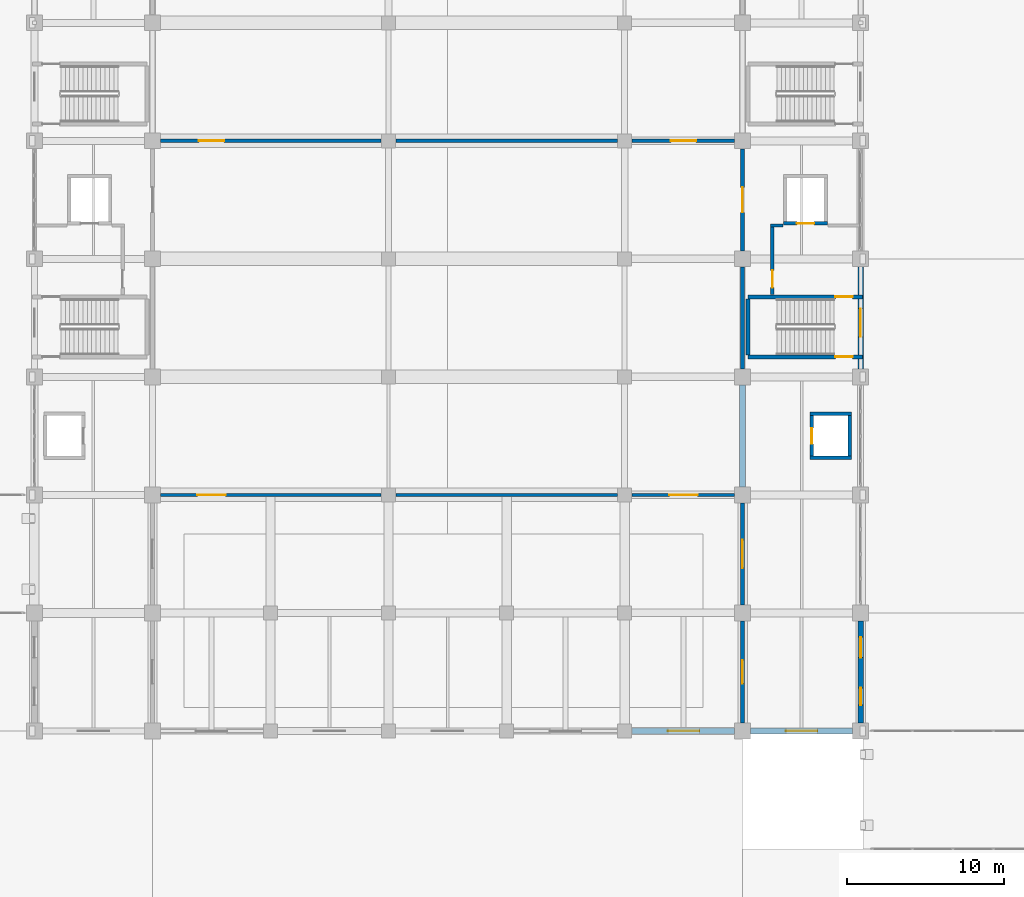
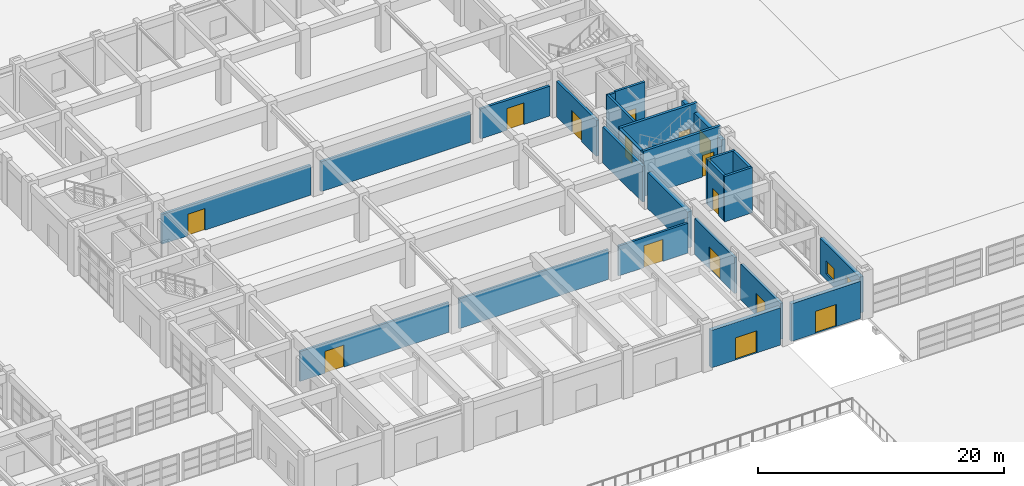
# One storey, part 88 of 122: 25 walls, 15 doors, 2 windows, 17 openings.
"""IFC4 building model written with IfcOpenShell, lengths in metres."""

from ifc_helpers import new_model, si_unit, direction, frame, frame_2d, origin, place, context, subcontext, project, spatial, rectangle, extrude, material, layer, layer_set, type_object, element, fill, save


model = new_model("IFC4")

# Units and contexts
model_context = context("Model", 3, precision=1e-05, world=origin(), true_north=direction((0.0, 1.0)))
body_context = subcontext(model_context, "Body", "Model", "MODEL_VIEW")
ifc_project = project(units=[si_unit("LENGTHUNIT", "METRE"), si_unit("AREAUNIT", "SQUARE_METRE"), si_unit("VOLUMEUNIT", "CUBIC_METRE"), si_unit("PLANEANGLEUNIT", "RADIAN"), si_unit("MASSUNIT", "GRAM", prefix="KILO")], contexts=[model_context])

# Site, building, storey
site_placement = place(None, origin())
site = spatial("IfcSite", under=ifc_project, at=site_placement, CompositionType="ELEMENT")
building_placement = place(site_placement, origin())
building = spatial("IfcBuilding", under=site, at=building_placement, Name="Qasida Concert Hall", CompositionType="ELEMENT")
storey_placement = place(building_placement, origin())
storey = spatial("IfcBuildingStorey", under=building, at=storey_placement, Name="L00", CompositionType="ELEMENT", Elevation=0.0)

# Walls
ifc_material_1 = material(Name="Concrete C40/50", Category="concrete")
ifc_layer_1 = layer(ifc_material_1, 0.219970703125, Name="Concrete C40/50")
ifc_layer_set_1 = layer_set([ifc_layer_1], Name="Concrete C40/50")
wall_type_1 = type_object("IfcWallType", Name="WL-CW-220", PredefinedType="SOLIDWALL", material=ifc_layer_set_1)
for number, where, z_axis, x_axis, name in (
    (1, (101.7900390625, 39.85009765625, 0.0), (0.0, 0.0, 1.0), (1.0, 0.0, 0.0), "L00 LF-02 lift shaft wall S"),
    (2, (101.7900390625, 42.64990234375, 0.0), (0.0, 0.0, 1.0), (1.0, 0.0, 0.0), "L00 LF-02 lift shaft wall N"),
):
    element("IfcWall", number, at=place(storey_placement, frame(where, z_axis=z_axis, x_axis=x_axis)), inside=storey, type_object=wall_type_1, Name=name, PredefinedType="SOLIDWALL", context=body_context, shape_type="SweptSolid", body=[
        extrude(rectangle(XDim=2.619873046875, YDim=0.219970703125, at=frame_2d((1.31005859375, 0.0))), origin(), (0.0, 0.0, 1.0), 4.5),
    ])

# Wall, opening, door
wall_1_placement = place(storey_placement, frame((101.89990234375, 39.9599609375, 0.0), z_axis=(0.0, 0.0, 1.0), x_axis=(0.0, 1.0, 0.0)))
wall_1 = element("IfcWall", 3, at=wall_1_placement, inside=storey, type_object=wall_type_1, Name="L00 LF-02 lift shaft wall W", PredefinedType="SOLIDWALL", context=body_context, shape_type="SweptSolid", body=[
    extrude(rectangle(XDim=2.580078125, YDim=0.219970703125, at=frame_2d((1.2900390625, 0.0))), origin(), (0.0, 0.0, 1.0), 4.5),
])
opening_1_placement = place(wall_1_placement, frame((0.7900390625, 0.0, 0.0)))
opening_1 = element("IfcOpeningElement", 4, at=opening_1_placement, cuts=wall_1, Name="Opening LD-100", PredefinedType="OPENING", context=body_context, shape_type="SweptSolid", body=[
    extrude(rectangle(XDim=1.0, YDim=2.14990234375, at=frame_2d((0.5, 1.074951171875))), frame((0.0, 0.119873046875, 0.0), z_axis=(0.0, -1.0, 0.0), x_axis=(1.0, 0.0, 0.0)), (0.0, 0.0, 1.0), 0.239990234375),
])
ifc_material_2 = material(Name="Brushed bronze passenger lift landing door", Category="steel")
door_type_1 = type_object("IfcDoorType", Name="LD-100", OperationType="SLIDING_TO_LEFT", PredefinedType="DOOR", material=ifc_material_2)
door_1_placement = place(opening_1_placement, origin())
door_1 = element("IfcDoor", 5, at=door_1_placement, inside=storey, type_object=door_type_1, Name="Lift landing door LF-02 L00", OperationType="SLIDING_TO_LEFT", OverallHeight=2.14990234375, OverallWidth=1.0, PredefinedType="DOOR", context=body_context, shape_type="SweptSolid", body=[
    extrude(rectangle(XDim=1.0, YDim=2.14990234375, at=frame_2d((0.5, 1.074951171875))), frame((0.0, 0.02490234375, 0.0), z_axis=(0.0, -1.0, 0.0), x_axis=(1.0, 0.0, 0.0)), (0.0, 0.0, 1.0), 0.050048828125),
])
fill(opening_1, door_1)

# Wall
wall_2_placement = place(storey_placement, frame((104.300048828125, 39.9599609375, 0.0), z_axis=(0.0, 0.0, 1.0), x_axis=(0.0, 1.0, 0.0)))
element("IfcWall", 6, at=wall_2_placement, inside=storey, type_object=wall_type_1, Name="L00 LF-02 lift shaft wall E", PredefinedType="SOLIDWALL", context=body_context, shape_type="SweptSolid", body=[
    extrude(rectangle(XDim=2.580078125, YDim=0.219970703125, at=frame_2d((1.2900390625, 0.0))), origin(), (0.0, 0.0, 1.0), 4.5),
])

# Wall, opening, door
wall_3_placement = place(storey_placement, frame((100.090087890625, 54.75, 0.0), z_axis=(0.0, 0.0, 1.0), x_axis=(1.0, 0.0, 0.0)))
wall_3 = element("IfcWall", 7, at=wall_3_placement, inside=storey, type_object=wall_type_1, Name="L00 LF-04 lift shaft wall S", PredefinedType="SOLIDWALL", context=body_context, shape_type="SweptSolid", body=[
    extrude(rectangle(XDim=2.81982421875, YDim=0.219970703125, at=frame_2d((1.409912109375, 0.0))), origin(), (0.0, 0.0, 1.0), 4.5),
])
opening_2_placement = place(wall_3_placement, frame((0.860107421875, 0.0, 0.0)))
opening_2 = element("IfcOpeningElement", 8, at=opening_2_placement, cuts=wall_3, Name="Opening LD-110", PredefinedType="OPENING", context=body_context, shape_type="SweptSolid", body=[
    extrude(rectangle(XDim=1.10009765625, YDim=2.14990234375, at=frame_2d((0.550048828125, 1.074951171875))), frame((0.0, 0.119873046875, 0.0), z_axis=(0.0, -1.0, 0.0), x_axis=(1.0, 0.0, 0.0)), (0.0, 0.0, 1.0), 0.239990234375),
])
ifc_material_3 = material(Name="Firefighting lift sliding landing door", Category="steel")
door_type_2 = type_object("IfcDoorType", Name="LD-110", OperationType="SLIDING_TO_LEFT", PredefinedType="DOOR", material=ifc_material_3)
door_2_placement = place(opening_2_placement, origin())
door_2 = element("IfcDoor", 9, at=door_2_placement, inside=storey, type_object=door_type_2, Name="Lift landing door LF-04 L00", OperationType="SLIDING_TO_LEFT", OverallHeight=2.14990234375, OverallWidth=1.10009765625, PredefinedType="DOOR", context=body_context, shape_type="SweptSolid", body=[
    extrude(rectangle(XDim=1.10009765625, YDim=2.14990234375, at=frame_2d((0.550048828125, 1.074951171875))), frame((0.0, 0.02490234375, 0.0), z_axis=(0.0, -1.0, 0.0), x_axis=(1.0, 0.0, 0.0)), (0.0, 0.0, 1.0), 0.050048828125),
])
fill(opening_2, door_2)

wall_4_placement = place(storey_placement, frame((99.39990234375, 50.219970703125, 0.0), z_axis=(0.0, 0.0, 1.0), x_axis=(0.0, 1.0, 0.0)))
wall_4 = element("IfcWall", 10, at=wall_4_placement, inside=storey, type_object=wall_type_1, Name="L00 LF-04 firefighting lobby wall", PredefinedType="SOLIDWALL", context=body_context, shape_type="SweptSolid", body=[
    extrude(rectangle(XDim=4.409912109375, YDim=0.219970703125, at=frame_2d((2.205078125, 0.0))), origin(), (0.0, 0.0, 1.0), 4.5),
])
opening_3_placement = place(wall_4_placement, frame((0.449951171875, 0.0, 0.0)))
opening_3 = element("IfcOpeningElement", 11, at=opening_3_placement, cuts=wall_4, Name="Opening FD-110", PredefinedType="OPENING", context=body_context, shape_type="SweptSolid", body=[
    extrude(rectangle(XDim=1.10009765625, YDim=2.14990234375, at=frame_2d((0.550048828125, 1.074951171875))), frame((0.0, 0.119873046875, 0.0), z_axis=(0.0, -1.0, 0.0), x_axis=(1.0, 0.0, 0.0)), (0.0, 0.0, 1.0), 0.239990234375),
])
ifc_material_4 = material(Name="Steel fire-rated stair/lobby door set", Category="steel")
door_type_3 = type_object("IfcDoorType", Name="FD-110", OperationType="NOTDEFINED", PredefinedType="DOOR", material=ifc_material_4)
door_3_placement = place(opening_3_placement, origin())
door_3 = element("IfcDoor", 12, at=door_3_placement, inside=storey, type_object=door_type_3, Name="L00 LF-04 firefighting lobby fire door", OperationType="SINGLE_SWING_LEFT", OverallHeight=2.14990234375, OverallWidth=1.10009765625, PredefinedType="DOOR", context=body_context, shape_type="SweptSolid", body=[
    extrude(rectangle(XDim=1.10009765625, YDim=2.14990234375, at=frame_2d((0.550048828125, 1.074951171875))), frame((0.0, 0.02490234375, 0.0), z_axis=(0.0, -1.0, 0.0), x_axis=(1.0, 0.0, 0.0)), (0.0, 0.0, 1.0), 0.050048828125),
])
fill(opening_3, door_3)

ifc_layer_2 = layer(ifc_material_1, 0.25, Name="Concrete C40/50")
ifc_layer_set_2 = layer_set([ifc_layer_2], Name="Concrete C40/50")
wall_type_2 = type_object("IfcWallType", Name="WL-CW-250", PredefinedType="SOLIDWALL", material=ifc_layer_set_2)
wall_5_placement = place(storey_placement, frame((97.860107421875, 46.27490234375, 0.0), z_axis=(0.0, 0.0, 1.0), x_axis=(1.0, 0.0, 0.0)))
wall_5 = element("IfcWall", 13, at=wall_5_placement, inside=storey, type_object=wall_type_2, Name="L00 ST-02 stairwell wall S", PredefinedType="SOLIDWALL", context=body_context, shape_type="SweptSolid", body=[
    extrude(rectangle(XDim=7.260009765625, YDim=0.25, at=frame_2d((3.6298828125, 0.0))), origin(), (0.0, 0.0, 1.0), 4.5),
])
opening_4_placement = place(wall_5_placement, frame((5.5400390625, 0.0, 0.0)))
opening_4 = element("IfcOpeningElement", 14, at=opening_4_placement, cuts=wall_5, Name="Opening FD-110", PredefinedType="OPENING", context=body_context, shape_type="SweptSolid", body=[
    extrude(rectangle(XDim=1.10009765625, YDim=2.14990234375, at=frame_2d((0.550048828125, 1.074951171875))), frame((0.0, 0.135009765625, 0.0), z_axis=(0.0, -1.0, 0.0), x_axis=(1.0, 0.0, 0.0)), (0.0, 0.0, 1.0), 0.27001953125),
])
door_4_placement = place(opening_4_placement, origin())
door_4 = element("IfcDoor", 15, at=door_4_placement, inside=storey, type_object=door_type_3, Name="L00 ST-02 rated stair door", OperationType="SINGLE_SWING_LEFT", OverallHeight=2.14990234375, OverallWidth=1.10009765625, PredefinedType="DOOR", context=body_context, shape_type="SweptSolid", body=[
    extrude(rectangle(XDim=1.10009765625, YDim=2.14990234375, at=frame_2d((0.550048828125, 1.074951171875))), frame((0.0, 0.02490234375, 0.0), z_axis=(0.0, -1.0, 0.0), x_axis=(1.0, 0.0, 0.0)), (0.0, 0.0, 1.0), 0.050048828125),
])
fill(opening_4, door_4)

wall_6_placement = place(storey_placement, frame((97.860107421875, 50.0849609375, 0.0), z_axis=(0.0, 0.0, 1.0), x_axis=(1.0, 0.0, 0.0)))
wall_6 = element("IfcWall", 16, at=wall_6_placement, inside=storey, type_object=wall_type_2, Name="L00 ST-02 stairwell wall N", PredefinedType="SOLIDWALL", context=body_context, shape_type="SweptSolid", body=[
    extrude(rectangle(XDim=7.260009765625, YDim=0.25, at=frame_2d((3.6298828125, 0.0))), origin(), (0.0, 0.0, 1.0), 4.5),
])
opening_5_placement = place(wall_6_placement, frame((5.5400390625, 0.0, 0.0)))
opening_5 = element("IfcOpeningElement", 17, at=opening_5_placement, cuts=wall_6, Name="Opening FD-110", PredefinedType="OPENING", context=body_context, shape_type="SweptSolid", body=[
    extrude(rectangle(XDim=1.10009765625, YDim=2.14990234375, at=frame_2d((0.550048828125, 1.074951171875))), frame((0.0, 0.135009765625, 0.0), z_axis=(0.0, -1.0, 0.0), x_axis=(1.0, 0.0, 0.0)), (0.0, 0.0, 1.0), 0.27001953125),
])
door_5_placement = place(opening_5_placement, frame((1.10009765625, 0.0, 0.0), z_axis=(0.0, 0.0, 1.0), x_axis=(-1.0, 0.0, 0.0)))
door_5 = element("IfcDoor", 18, at=door_5_placement, inside=storey, type_object=door_type_3, Name="L00 ST-02 rated stair door", OperationType="SINGLE_SWING_RIGHT", OverallHeight=2.14990234375, OverallWidth=1.10009765625, PredefinedType="DOOR", context=body_context, shape_type="SweptSolid", body=[
    extrude(rectangle(XDim=1.10009765625, YDim=2.14990234375, at=frame_2d((0.550048828125, 1.074951171875))), frame((0.0, 0.02490234375, 0.0), z_axis=(0.0, -1.0, 0.0), x_axis=(1.0, 0.0, 0.0)), (0.0, 0.0, 1.0), 0.050048828125),
])
fill(opening_5, door_5)

# Wall
wall_7_placement = place(storey_placement, frame((97.85498046875, 46.39990234375, 0.0), z_axis=(0.0, 0.0, 1.0), x_axis=(0.0, 1.0, 0.0)))
element("IfcWall", 19, at=wall_7_placement, inside=storey, type_object=wall_type_2, Name="L00 ST-02 stairwell wall W", PredefinedType="SOLIDWALL", context=body_context, shape_type="SweptSolid", body=[
    extrude(rectangle(XDim=3.56005859375, YDim=0.25, at=frame_2d((1.780029296875, 0.0))), origin(), (0.0, 0.0, 1.0), 4.5),
])

# Wall, opening, door
ifc_material_5 = material(Name="Precast concrete C40/50", Category="concrete")
ifc_layer_3 = layer(ifc_material_5, 0.360107421875, Name="Precast concrete C40/50")
ifc_layer_set_3 = layer_set([ifc_layer_3], Name="Precast concrete C40/50")
wall_type_3 = type_object("IfcWallType", Name="WL-EW-360", PredefinedType="SOLIDWALL", material=ifc_layer_set_3)
wall_8_placement = place(storey_placement, frame((90.465087890625, 22.5, 0.0), z_axis=(0.0, 0.0, 1.0), x_axis=(1.0, 0.0, 0.0)))
wall_8 = element("IfcWall", 20, at=wall_8_placement, inside=storey, type_object=wall_type_3, Name="L00 exterior wall EW-360 0006", PredefinedType="SOLIDWALL", context=body_context, shape_type="SweptSolid", body=[
    extrude(rectangle(XDim=6.52001953125, YDim=0.360107421875, at=frame_2d((3.260009765625, 0.0))), origin(), (0.0, 0.0, 1.0), 3.719970703125),
])
opening_6_placement = place(wall_8_placement, frame((2.284912109375, 0.0, 0.0)))
opening_6 = element("IfcOpeningElement", 21, at=opening_6_placement, cuts=wall_8, Name="Opening ED-200", PredefinedType="OPENING", context=body_context, shape_type="SweptSolid", body=[
    extrude(rectangle(XDim=2.0, YDim=2.199951171875, at=frame_2d((1.0, 1.10009765625))), frame((0.0, 0.18994140625, 0.0), z_axis=(0.0, -1.0, 0.0), x_axis=(1.0, 0.0, 0.0)), (0.0, 0.0, 1.0), 0.380126953125),
])
ifc_material_6 = material(Name="Patinated architectural bronze and laminated safety glass", Category="glass")
door_type_4 = type_object("IfcDoorType", Name="ED-200", OperationType="NOTDEFINED", PredefinedType="DOOR", material=ifc_material_6)
door_6_placement = place(opening_6_placement, frame((2.0, 0.0, 0.0), z_axis=(0.0, 0.0, 1.0), x_axis=(-1.0, 0.0, 0.0)))
door_6 = element("IfcDoor", 22, at=door_6_placement, inside=storey, type_object=door_type_4, Name="Symphony south plaza exit door 6", OperationType="SINGLE_SWING_RIGHT", OverallHeight=2.199951171875, OverallWidth=2.0, PredefinedType="DOOR", context=body_context, shape_type="SweptSolid", body=[
    extrude(rectangle(XDim=2.0, YDim=2.199951171875, at=frame_2d((1.0, 1.10009765625))), frame((0.0, 0.02490234375, 0.0), z_axis=(0.0, -1.0, 0.0), x_axis=(1.0, 0.0, 0.0)), (0.0, 0.0, 1.0), 0.050048828125),
])
fill(opening_6, door_6)

wall_9_placement = place(storey_placement, frame((98.014892578125, 22.5, 0.0), z_axis=(0.0, 0.0, 1.0), x_axis=(1.0, 0.0, 0.0)))
wall_9 = element("IfcWall", 23, at=wall_9_placement, inside=storey, type_object=wall_type_3, Name="L00 exterior wall EW-360 0007", PredefinedType="SOLIDWALL", context=body_context, shape_type="SweptSolid", body=[
    extrude(rectangle(XDim=6.47021484375, YDim=0.360107421875, at=frame_2d((3.235107421875, 0.0))), origin(), (0.0, 0.0, 1.0), 3.719970703125),
])
opening_7_placement = place(wall_9_placement, frame((2.235107421875, 0.0, 0.0)))
opening_7 = element("IfcOpeningElement", 24, at=opening_7_placement, cuts=wall_9, Name="Opening ED-200", PredefinedType="OPENING", context=body_context, shape_type="SweptSolid", body=[
    extrude(rectangle(XDim=2.0, YDim=2.199951171875, at=frame_2d((1.0, 1.10009765625))), frame((0.0, 0.18994140625, 0.0), z_axis=(0.0, -1.0, 0.0), x_axis=(1.0, 0.0, 0.0)), (0.0, 0.0, 1.0), 0.380126953125),
])
door_7_placement = place(opening_7_placement, frame((2.0, 0.0, 0.0), z_axis=(0.0, 0.0, 1.0), x_axis=(-1.0, 0.0, 0.0)))
door_7 = element("IfcDoor", 25, at=door_7_placement, inside=storey, type_object=door_type_4, Name="Symphony south plaza exit door 7", OperationType="SINGLE_SWING_LEFT", OverallHeight=2.199951171875, OverallWidth=2.0, PredefinedType="DOOR", context=body_context, shape_type="SweptSolid", body=[
    extrude(rectangle(XDim=2.0, YDim=2.199951171875, at=frame_2d((1.0, 1.10009765625))), frame((0.0, 0.02490234375, 0.0), z_axis=(0.0, -1.0, 0.0), x_axis=(1.0, 0.0, 0.0)), (0.0, 0.0, 1.0), 0.050048828125),
])
fill(opening_7, door_7)

# Wall, openings, windows
wall_10_placement = place(storey_placement, frame((105.0, 23.014892578125, 0.0), z_axis=(0.0, 0.0, 1.0), x_axis=(0.0, 1.0, 0.0)))
wall_10 = element("IfcWall", 26, at=wall_10_placement, inside=storey, type_object=wall_type_3, Name="L00 exterior wall EW-360 0017", PredefinedType="SOLIDWALL", context=body_context, shape_type="SweptSolid", body=[
    extrude(rectangle(XDim=6.47021484375, YDim=0.360107421875, at=frame_2d((3.235107421875, 0.0))), origin(), (0.0, 0.0, 1.0), 3.570068359375),
])
opening_8_placement = place(wall_10_placement, frame((1.1201171875, 0.0, 0.60009765625)))
opening_8 = element("IfcOpeningElement", 27, at=opening_8_placement, cuts=wall_10, Name="Opening WN-01", PredefinedType="OPENING", context=body_context, shape_type="SweptSolid", body=[
    extrude(rectangle(XDim=1.10009765625, YDim=1.800048828125, at=frame_2d((0.550048828125, 0.89990234375))), frame((0.0, 0.18994140625, 0.0), z_axis=(0.0, -1.0, 0.0), x_axis=(1.0, 0.0, 0.0)), (0.0, 0.0, 1.0), 0.380126953125),
])
opening_9_placement = place(wall_10_placement, frame((4.14990234375, 0.0, 0.60009765625)))
opening_9 = element("IfcOpeningElement", 28, at=opening_9_placement, cuts=wall_10, Name="Opening WN-10", PredefinedType="OPENING", context=body_context, shape_type="SweptSolid", body=[
    extrude(rectangle(XDim=1.300048828125, YDim=1.300048828125, at=frame_2d((0.64990234375, 0.64990234375))), frame((0.0, 0.18994140625, 0.0), z_axis=(0.0, -1.0, 0.0), x_axis=(1.0, 0.0, 0.0)), (0.0, 0.0, 1.0), 0.380126953125),
])
ifc_material_7 = material(Name="Bronze-anodized aluminium frame with acoustic low-E glazing", Category="aluminium")
window_type_1 = type_object("IfcWindowType", Name="WN-01", PartitioningType="SINGLE_PANEL", PredefinedType="WINDOW", material=ifc_material_7)
window_1_placement = place(opening_8_placement, origin())
window_1 = element("IfcWindow", 29, at=window_1_placement, inside=storey, type_object=window_type_1, Name="L00 window WN-01 0003", OverallHeight=1.800048828125, OverallWidth=1.10009765625, PartitioningType="SINGLE_PANEL", PredefinedType="WINDOW", context=body_context, shape_type="SweptSolid", body=[
    extrude(rectangle(XDim=1.10009765625, YDim=1.800048828125, at=frame_2d((0.550048828125, 0.89990234375))), frame((0.0, 0.030029296875, 0.0), z_axis=(0.0, -1.0, 0.0), x_axis=(1.0, 0.0, 0.0)), (0.0, 0.0, 1.0), 0.06005859375),
])
fill(opening_8, window_1)
window_type_2 = type_object("IfcWindowType", Name="WN-10", PartitioningType="SINGLE_PANEL", PredefinedType="WINDOW", material=ifc_material_7)
window_2_placement = place(opening_9_placement, origin())
window_2 = element("IfcWindow", 30, at=window_2_placement, inside=storey, type_object=window_type_2, Name="L00 window WN-10 0004", OverallHeight=1.300048828125, OverallWidth=1.300048828125, PartitioningType="SINGLE_PANEL", PredefinedType="WINDOW", context=body_context, shape_type="SweptSolid", body=[
    extrude(rectangle(XDim=1.300048828125, YDim=1.300048828125, at=frame_2d((0.64990234375, 0.64990234375))), frame((0.0, 0.030029296875, 0.0), z_axis=(0.0, -1.0, 0.0), x_axis=(1.0, 0.0, 0.0)), (0.0, 0.0, 1.0), 0.06005859375),
])
fill(opening_9, window_2)

# Wall, opening, door
wall_11_placement = place(storey_placement, frame((105.0, 45.514892578125, 0.0), z_axis=(0.0, 0.0, 1.0), x_axis=(0.0, 1.0, 0.0)))
wall_11 = element("IfcWall", 31, at=wall_11_placement, inside=storey, type_object=wall_type_3, Name="L00 exterior wall EW-360 0019", PredefinedType="SOLIDWALL", context=body_context, shape_type="SweptSolid", body=[
    extrude(rectangle(XDim=6.47021484375, YDim=0.360107421875, at=frame_2d((3.235107421875, 0.0))), origin(), (0.0, 0.0, 1.0), 3.570068359375),
])
opening_10_placement = place(wall_11_placement, frame((2.02197265625, 0.0, 0.0)))
opening_10 = element("IfcOpeningElement", 32, at=opening_10_placement, cuts=wall_11, Name="Opening ED-180", PredefinedType="OPENING", context=body_context, shape_type="SweptSolid", body=[
    extrude(rectangle(XDim=1.800048828125, YDim=2.199951171875, at=frame_2d((0.89990234375, 1.10009765625))), frame((0.0, 0.18994140625, 0.0), z_axis=(0.0, -1.0, 0.0), x_axis=(1.0, 0.0, 0.0)), (0.0, 0.0, 1.0), 0.380126953125),
])
door_type_5 = type_object("IfcDoorType", Name="ED-180", OperationType="NOTDEFINED", PredefinedType="DOOR", material=ifc_material_6)
door_8_placement = place(opening_10_placement, frame((1.800048828125, 0.0, 0.0), z_axis=(0.0, 0.0, 1.0), x_axis=(-1.0, 0.0, 0.0)))
door_8 = element("IfcDoor", 33, at=door_8_placement, inside=storey, type_object=door_type_5, Name="Exit stair ST-02 final discharge door", OperationType="SINGLE_SWING_LEFT", OverallHeight=2.199951171875, OverallWidth=1.800048828125, PredefinedType="DOOR", context=body_context, shape_type="SweptSolid", body=[
    extrude(rectangle(XDim=1.800048828125, YDim=2.199951171875, at=frame_2d((0.89990234375, 1.10009765625))), frame((0.0, 0.02490234375, 0.0), z_axis=(0.0, -1.0, 0.0), x_axis=(1.0, 0.0, 0.0)), (0.0, 0.0, 1.0), 0.050048828125),
])
fill(opening_10, door_8)

# Wall
ifc_material_8 = material(Name="Acoustic gypsum block and mineral wool", Category="gypsum")
ifc_layer_4 = layer(ifc_material_8, 0.199951171875, Name="Acoustic gypsum block and mineral wool")
ifc_layer_set_4 = layer_set([ifc_layer_4], Name="Acoustic gypsum block and mineral wool")
wall_type_4 = type_object("IfcWallType", Name="WL-PW-200", PredefinedType="PARTITIONING", material=ifc_layer_set_4)
wall_12_placement = place(storey_placement, frame((99.2900390625, 54.6298828125, 0.0), z_axis=(0.0, 0.0, 1.0), x_axis=(1.0, 0.0, 0.0)))
element("IfcWall", 34, at=wall_12_placement, inside=storey, type_object=wall_type_4, Name="L00 LF-04 firefighting lobby return wall", PredefinedType="PARTITIONING", context=body_context, shape_type="SweptSolid", body=[
    extrude(rectangle(XDim=0.784912109375, YDim=0.199951171875, at=frame_2d((0.392578125, 0.0))), origin(), (0.0, 0.0, 1.0), 4.47998046875),
])

# Wall, opening, door
wall_13_placement = place(storey_placement, frame((60.513916015625, 37.5, 0.0), z_axis=(0.0, 0.0, 1.0), x_axis=(1.0, 0.0, 0.0)))
wall_13 = element("IfcWall", 35, at=wall_13_placement, inside=storey, type_object=wall_type_4, Name="L00 partition PW-200 0411", PredefinedType="PARTITIONING", context=body_context, shape_type="SweptSolid", body=[
    extrude(rectangle(XDim=14.02197265625, YDim=0.199951171875, at=frame_2d((7.010986328125, 0.0))), origin(), (0.0, 0.0, 1.0), 2.969970703125),
])
opening_11_placement = place(wall_13_placement, frame((2.3359375, 0.0, 0.0)))
opening_11 = element("IfcOpeningElement", 36, at=opening_11_placement, cuts=wall_13, Name="Opening FD-180", PredefinedType="OPENING", context=body_context, shape_type="SweptSolid", body=[
    extrude(rectangle(XDim=1.800048828125, YDim=2.179931640625, at=frame_2d((0.89990234375, 1.08984375))), frame((0.0, 0.10986328125, 0.0), z_axis=(0.0, -1.0, 0.0), x_axis=(1.0, 0.0, 0.0)), (0.0, 0.0, 1.0), 0.219970703125),
])
ifc_material_9 = material(Name="Double-leaf concourse fire door", Category="steel")
door_type_6 = type_object("IfcDoorType", Name="FD-180", OperationType="NOTDEFINED", PredefinedType="DOOR", material=ifc_material_9)
door_9_placement = place(opening_11_placement, origin())
door_9 = element("IfcDoor", 37, at=door_9_placement, inside=storey, type_object=door_type_6, Name="L00 Symphony foyer west sound-lock door", OperationType="SINGLE_SWING_RIGHT", OverallHeight=2.179931640625, OverallWidth=1.800048828125, PredefinedType="DOOR", context=body_context, shape_type="SweptSolid", body=[
    extrude(rectangle(XDim=1.800048828125, YDim=2.179931640625, at=frame_2d((0.89990234375, 1.08984375))), frame((0.0, 0.02490234375, 0.0), z_axis=(0.0, -1.0, 0.0), x_axis=(1.0, 0.0, 0.0)), (0.0, 0.0, 1.0), 0.050048828125),
])
fill(opening_11, door_9)

# Wall
wall_14_placement = place(storey_placement, frame((75.464111328125, 37.5, 0.0), z_axis=(0.0, 0.0, 1.0), x_axis=(1.0, 0.0, 0.0)))
element("IfcWall", 38, at=wall_14_placement, inside=storey, type_object=wall_type_4, Name="L00 partition PW-200 0412", PredefinedType="PARTITIONING", context=body_context, shape_type="SweptSolid", body=[
    extrude(rectangle(XDim=14.07177734375, YDim=0.199951171875, at=frame_2d((7.035888671875, 0.0))), origin(), (0.0, 0.0, 1.0), 2.969970703125),
])

# Wall, opening, door
wall_15_placement = place(storey_placement, frame((90.464111328125, 37.5, 0.0), z_axis=(0.0, 0.0, 1.0), x_axis=(1.0, 0.0, 0.0)))
wall_15 = element("IfcWall", 39, at=wall_15_placement, inside=storey, type_object=wall_type_4, Name="L00 partition PW-200 0413", PredefinedType="PARTITIONING", context=body_context, shape_type="SweptSolid", body=[
    extrude(rectangle(XDim=6.52197265625, YDim=0.199951171875, at=frame_2d((3.260986328125, 0.0))), origin(), (0.0, 0.0, 1.0), 2.969970703125),
])
opening_12_placement = place(wall_15_placement, frame((2.385986328125, 0.0, 0.0)))
opening_12 = element("IfcOpeningElement", 40, at=opening_12_placement, cuts=wall_15, Name="Opening FD-180", PredefinedType="OPENING", context=body_context, shape_type="SweptSolid", body=[
    extrude(rectangle(XDim=1.800048828125, YDim=2.179931640625, at=frame_2d((0.89990234375, 1.08984375))), frame((0.0, 0.10986328125, 0.0), z_axis=(0.0, -1.0, 0.0), x_axis=(1.0, 0.0, 0.0)), (0.0, 0.0, 1.0), 0.219970703125),
])
door_10_placement = place(opening_12_placement, origin())
door_10 = element("IfcDoor", 41, at=door_10_placement, inside=storey, type_object=door_type_6, Name="L00 Symphony foyer east sound-lock door", OperationType="SINGLE_SWING_LEFT", OverallHeight=2.179931640625, OverallWidth=1.800048828125, PredefinedType="DOOR", context=body_context, shape_type="SweptSolid", body=[
    extrude(rectangle(XDim=1.800048828125, YDim=2.179931640625, at=frame_2d((0.89990234375, 1.08984375))), frame((0.0, 0.02490234375, 0.0), z_axis=(0.0, -1.0, 0.0), x_axis=(1.0, 0.0, 0.0)), (0.0, 0.0, 1.0), 0.050048828125),
])
fill(opening_12, door_10)

ifc_material_10 = material(Name="Double-stud acoustic gypsum and mineral wool", Category="gypsum")
ifc_layer_5 = layer(ifc_material_10, 0.239990234375, Name="Double-stud acoustic gypsum and mineral wool")
ifc_layer_set_5 = layer_set([ifc_layer_5], Name="Double-stud acoustic gypsum and mineral wool")
wall_type_5 = type_object("IfcWallType", Name="WL-PW-240", PredefinedType="PARTITIONING", material=ifc_layer_set_5)
wall_16_placement = place(storey_placement, frame((60.513916015625, 60.0, 0.0), z_axis=(0.0, 0.0, 1.0), x_axis=(1.0, 0.0, 0.0)))
wall_16 = element("IfcWall", 42, at=wall_16_placement, inside=storey, type_object=wall_type_5, Name="L00 partition PW-240 0414", PredefinedType="PARTITIONING", context=body_context, shape_type="SweptSolid", body=[
    extrude(rectangle(XDim=14.02197265625, YDim=0.239990234375, at=frame_2d((7.010986328125, 0.0))), origin(), (0.0, 0.0, 1.0), 2.969970703125),
])
opening_13_placement = place(wall_16_placement, frame((2.43603515625, 0.0, 0.0)))
opening_13 = element("IfcOpeningElement", 43, at=opening_13_placement, cuts=wall_16, Name="Opening FD-160", PredefinedType="OPENING", context=body_context, shape_type="SweptSolid", body=[
    extrude(rectangle(XDim=1.60009765625, YDim=2.14990234375, at=frame_2d((0.800048828125, 1.074951171875))), frame((0.0, 0.1298828125, 0.0), z_axis=(0.0, -1.0, 0.0), x_axis=(1.0, 0.0, 0.0)), (0.0, 0.0, 1.0), 0.260009765625),
])
ifc_material_11 = material(Name="Double-leaf acoustic fire door", Category="steel")
door_type_7 = type_object("IfcDoorType", Name="FD-160", OperationType="NOTDEFINED", PredefinedType="DOOR", material=ifc_material_11)
door_11_placement = place(opening_13_placement, origin())
door_11 = element("IfcDoor", 44, at=door_11_placement, inside=storey, type_object=door_type_7, Name="L00 Backstage crossover west door", OperationType="SINGLE_SWING_RIGHT", OverallHeight=2.14990234375, OverallWidth=1.60009765625, PredefinedType="DOOR", context=body_context, shape_type="SweptSolid", body=[
    extrude(rectangle(XDim=1.60009765625, YDim=2.14990234375, at=frame_2d((0.800048828125, 1.074951171875))), frame((0.0, 0.02490234375, 0.0), z_axis=(0.0, -1.0, 0.0), x_axis=(1.0, 0.0, 0.0)), (0.0, 0.0, 1.0), 0.050048828125),
])
fill(opening_13, door_11)

# Wall
wall_17_placement = place(storey_placement, frame((75.464111328125, 60.0, 0.0), z_axis=(0.0, 0.0, 1.0), x_axis=(1.0, 0.0, 0.0)))
element("IfcWall", 45, at=wall_17_placement, inside=storey, type_object=wall_type_5, Name="L00 partition PW-240 0415", PredefinedType="PARTITIONING", context=body_context, shape_type="SweptSolid", body=[
    extrude(rectangle(XDim=14.07177734375, YDim=0.239990234375, at=frame_2d((7.035888671875, 0.0))), origin(), (0.0, 0.0, 1.0), 2.969970703125),
])

# Wall, opening, door
wall_18_placement = place(storey_placement, frame((90.464111328125, 60.0, 0.0), z_axis=(0.0, 0.0, 1.0), x_axis=(1.0, 0.0, 0.0)))
wall_18 = element("IfcWall", 46, at=wall_18_placement, inside=storey, type_object=wall_type_5, Name="L00 partition PW-240 0416", PredefinedType="PARTITIONING", context=body_context, shape_type="SweptSolid", body=[
    extrude(rectangle(XDim=6.52197265625, YDim=0.239990234375, at=frame_2d((3.260986328125, 0.0))), origin(), (0.0, 0.0, 1.0), 2.969970703125),
])
opening_14_placement = place(wall_18_placement, frame((2.486083984375, 0.0, 0.0)))
opening_14 = element("IfcOpeningElement", 47, at=opening_14_placement, cuts=wall_18, Name="Opening FD-160", PredefinedType="OPENING", context=body_context, shape_type="SweptSolid", body=[
    extrude(rectangle(XDim=1.60009765625, YDim=2.14990234375, at=frame_2d((0.800048828125, 1.074951171875))), frame((0.0, 0.1298828125, 0.0), z_axis=(0.0, -1.0, 0.0), x_axis=(1.0, 0.0, 0.0)), (0.0, 0.0, 1.0), 0.260009765625),
])
door_12_placement = place(opening_14_placement, origin())
door_12 = element("IfcDoor", 48, at=door_12_placement, inside=storey, type_object=door_type_7, Name="L00 Backstage crossover east door", OperationType="SINGLE_SWING_LEFT", OverallHeight=2.14990234375, OverallWidth=1.60009765625, PredefinedType="DOOR", context=body_context, shape_type="SweptSolid", body=[
    extrude(rectangle(XDim=1.60009765625, YDim=2.14990234375, at=frame_2d((0.800048828125, 1.074951171875))), frame((0.0, 0.02490234375, 0.0), z_axis=(0.0, -1.0, 0.0), x_axis=(1.0, 0.0, 0.0)), (0.0, 0.0, 1.0), 0.050048828125),
])
fill(opening_14, door_12)

wall_19_placement = place(storey_placement, frame((97.5, 23.013916015625, 0.0), z_axis=(0.0, 0.0, 1.0), x_axis=(0.0, 1.0, 0.0)))
wall_19 = element("IfcWall", 49, at=wall_19_placement, inside=storey, type_object=wall_type_5, Name="L00 partition PW-240 0423", PredefinedType="PARTITIONING", context=body_context, shape_type="SweptSolid", body=[
    extrude(rectangle(XDim=6.47216796875, YDim=0.239990234375, at=frame_2d((3.236083984375, 0.0))), origin(), (0.0, 0.0, 1.0), 3.570068359375),
])
opening_15_placement = place(wall_19_placement, frame((2.486083984375, 0.0, 0.0)))
opening_15 = element("IfcOpeningElement", 50, at=opening_15_placement, cuts=wall_19, Name="Opening ID-150", PredefinedType="OPENING", context=body_context, shape_type="SweptSolid", body=[
    extrude(rectangle(XDim=1.5, YDim=2.159912109375, at=frame_2d((0.75, 1.080078125))), frame((0.0, 0.1298828125, 0.0), z_axis=(0.0, -1.0, 0.0), x_axis=(1.0, 0.0, 0.0)), (0.0, 0.0, 1.0), 0.260009765625),
])
ifc_material_12 = material(Name="Bronze-framed glazed foyer door", Category="aluminium")
door_type_8 = type_object("IfcDoorType", Name="ID-150", OperationType="NOTDEFINED", PredefinedType="DOOR", material=ifc_material_12)
door_13_placement = place(opening_15_placement, origin())
door_13 = element("IfcDoor", 51, at=door_13_placement, inside=storey, type_object=door_type_8, Name="L00 Symphony east foyer promenade door", OperationType="SINGLE_SWING_RIGHT", OverallHeight=2.159912109375, OverallWidth=1.5, PredefinedType="DOOR", context=body_context, shape_type="SweptSolid", body=[
    extrude(rectangle(XDim=1.5, YDim=2.159912109375, at=frame_2d((0.75, 1.080078125))), frame((0.0, 0.02490234375, 0.0), z_axis=(0.0, -1.0, 0.0), x_axis=(1.0, 0.0, 0.0)), (0.0, 0.0, 1.0), 0.050048828125),
])
fill(opening_15, door_13)

wall_20_placement = place(storey_placement, frame((97.5, 30.513916015625, 0.0), z_axis=(0.0, 0.0, 1.0), x_axis=(0.0, 1.0, 0.0)))
wall_20 = element("IfcWall", 52, at=wall_20_placement, inside=storey, type_object=wall_type_5, Name="L00 partition PW-240 0424", PredefinedType="PARTITIONING", context=body_context, shape_type="SweptSolid", body=[
    extrude(rectangle(XDim=6.47216796875, YDim=0.239990234375, at=frame_2d((3.236083984375, 0.0))), origin(), (0.0, 0.0, 1.0), 3.570068359375),
])
opening_16_placement = place(wall_20_placement, frame((2.3359375, 0.0, 0.0)))
opening_16 = element("IfcOpeningElement", 53, at=opening_16_placement, cuts=wall_20, Name="Opening AD-180", PredefinedType="OPENING", context=body_context, shape_type="SweptSolid", body=[
    extrude(rectangle(XDim=1.800048828125, YDim=2.159912109375, at=frame_2d((0.89990234375, 1.080078125))), frame((0.0, 0.1298828125, 0.0), z_axis=(0.0, -1.0, 0.0), x_axis=(1.0, 0.0, 0.0)), (0.0, 0.0, 1.0), 0.260009765625),
])
ifc_material_13 = material(Name="Double-seal Rw 52 dB auditorium vomitory door", Category="wood")
door_type_9 = type_object("IfcDoorType", Name="AD-180", OperationType="NOTDEFINED", PredefinedType="DOOR", material=ifc_material_13)
door_14_placement = place(opening_16_placement, origin())
door_14 = element("IfcDoor", 54, at=door_14_placement, inside=storey, type_object=door_type_9, Name="L00 Symphony east cloakroom hall door", OperationType="SINGLE_SWING_LEFT", OverallHeight=2.159912109375, OverallWidth=1.800048828125, PredefinedType="DOOR", context=body_context, shape_type="SweptSolid", body=[
    extrude(rectangle(XDim=1.800048828125, YDim=2.159912109375, at=frame_2d((0.89990234375, 1.080078125))), frame((0.0, 0.02490234375, 0.0), z_axis=(0.0, -1.0, 0.0), x_axis=(1.0, 0.0, 0.0)), (0.0, 0.0, 1.0), 0.050048828125),
])
fill(opening_16, door_14)

# Wall
wall_21_placement = place(storey_placement, frame((97.5, 45.513916015625, 0.0), z_axis=(0.0, 0.0, 1.0), x_axis=(0.0, 1.0, 0.0)))
element("IfcWall", 55, at=wall_21_placement, inside=storey, type_object=wall_type_5, Name="L00 partition PW-240 0425", PredefinedType="PARTITIONING", context=body_context, shape_type="SweptSolid", body=[
    extrude(rectangle(XDim=6.47216796875, YDim=0.239990234375, at=frame_2d((3.236083984375, 0.0))), origin(), (0.0, 0.0, 1.0), 3.570068359375),
])

# Wall, opening, door
wall_22_placement = place(storey_placement, frame((97.5, 53.013916015625, 0.0), z_axis=(0.0, 0.0, 1.0), x_axis=(0.0, 1.0, 0.0)))
wall_22 = element("IfcWall", 56, at=wall_22_placement, inside=storey, type_object=wall_type_5, Name="L00 partition PW-240 0426", PredefinedType="PARTITIONING", context=body_context, shape_type="SweptSolid", body=[
    extrude(rectangle(XDim=6.47216796875, YDim=0.239990234375, at=frame_2d((3.236083984375, 0.0))), origin(), (0.0, 0.0, 1.0), 3.570068359375),
])
opening_17_placement = place(wall_22_placement, frame((2.43603515625, 0.0, 0.0)))
opening_17 = element("IfcOpeningElement", 57, at=opening_17_placement, cuts=wall_22, Name="Opening FD-160", PredefinedType="OPENING", context=body_context, shape_type="SweptSolid", body=[
    extrude(rectangle(XDim=1.60009765625, YDim=2.14990234375, at=frame_2d((0.800048828125, 1.074951171875))), frame((0.0, 0.1298828125, 0.0), z_axis=(0.0, -1.0, 0.0), x_axis=(1.0, 0.0, 0.0)), (0.0, 0.0, 1.0), 0.260009765625),
])
door_15_placement = place(opening_17_placement, origin())
door_15 = element("IfcDoor", 58, at=door_15_placement, inside=storey, type_object=door_type_7, Name="L00 Symphony east mid gallery door", OperationType="SINGLE_SWING_RIGHT", OverallHeight=2.14990234375, OverallWidth=1.60009765625, PredefinedType="DOOR", context=body_context, shape_type="SweptSolid", body=[
    extrude(rectangle(XDim=1.60009765625, YDim=2.14990234375, at=frame_2d((0.800048828125, 1.074951171875))), frame((0.0, 0.02490234375, 0.0), z_axis=(0.0, -1.0, 0.0), x_axis=(1.0, 0.0, 0.0)), (0.0, 0.0, 1.0), 0.050048828125),
])
fill(opening_17, door_15)

# Wall
ifc_layer_6 = layer(ifc_material_1, 0.39990234375, Name="Concrete C40/50")
ifc_layer_set_6 = layer_set([ifc_layer_6], Name="Concrete C40/50")
wall_type_6 = type_object("IfcWallType", Name="WL-SW-400", PredefinedType="SHEAR", material=ifc_layer_set_6)
wall_23_placement = place(storey_placement, frame((97.5, 38.0, 0.0), z_axis=(0.0, 0.0, 1.0), x_axis=(0.0, 1.0, 0.0)))
element("IfcWall", 59, at=wall_23_placement, inside=storey, type_object=wall_type_6, Name="L00 acoustic box shear wall 0010", PredefinedType="SHEAR", context=body_context, shape_type="SweptSolid", body=[
    extrude(rectangle(XDim=6.5, YDim=0.39990234375, at=frame_2d((3.25, 0.0))), origin(), (0.0, 0.0, 1.0), 3.60009765625),
])

save(model, "model.ifc")
